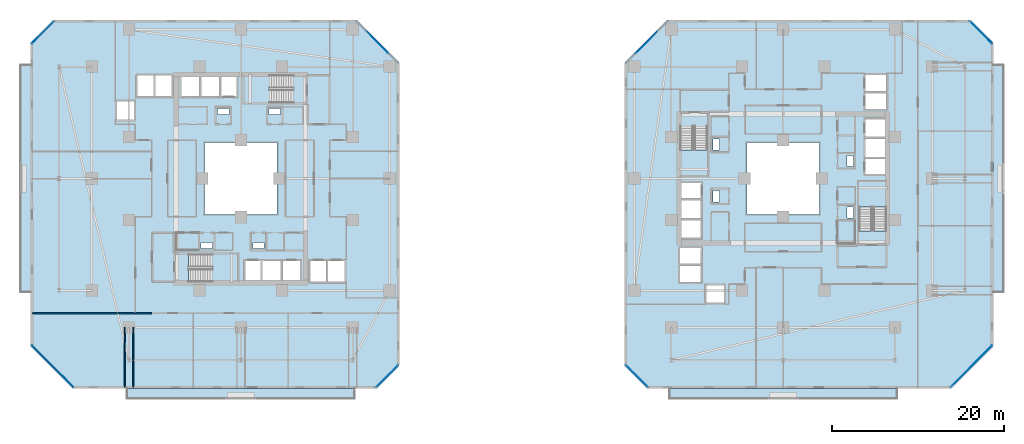
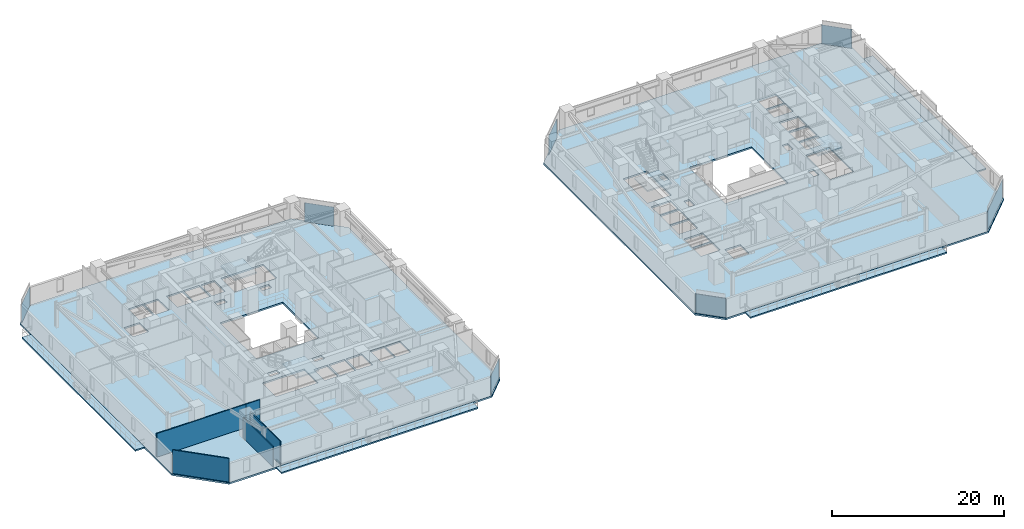
# One storey, part 17 of 33: 10 slabs, 8 plates, 5 walls, 12 elements without a shape of their own.
"""IFC4 building model written with IfcOpenShell, lengths in metres."""

from ifc_helpers import new_model, si_unit, direction, frame, frame_2d, origin, origin_2d, place, context, subcontext, project, spatial, polyline, rectangle, outline, extrude, material, layer, layer_set, type_object, element, aggregate, save


model = new_model("IFC4")

# Units and contexts
model_context = context("Model", 3, precision=1e-05, world=origin(), true_north=direction((0.0, 1.0)))
body_context = subcontext(model_context, "Body", "Model", "MODEL_VIEW")
ifc_project = project(units=[si_unit("LENGTHUNIT", "METRE"), si_unit("AREAUNIT", "SQUARE_METRE"), si_unit("VOLUMEUNIT", "CUBIC_METRE"), si_unit("PLANEANGLEUNIT", "RADIAN"), si_unit("MASSUNIT", "GRAM", prefix="KILO")], contexts=[model_context])

# Site, building, storey
site_placement = place(None, origin())
site = spatial("IfcSite", under=ifc_project, at=site_placement, CompositionType="ELEMENT")
building_placement = place(site_placement, origin())
building = spatial("IfcBuilding", under=site, at=building_placement, Name="Thornwick Lancets Civic Towers", CompositionType="ELEMENT")
storey_placement = place(building_placement, frame((0.0, 0.0, 42.300048828125)))
storey = spatial("IfcBuildingStorey", under=building, at=storey_placement, Name="L10", CompositionType="ELEMENT", Elevation=42.300048828125)

# Curtain wall, plate
ifc_material_1 = material(Name="Low-zone chamfered-corner unitised glass curtain wall", Category="glass")
curtain_wall_type = type_object("IfcCurtainWallType", Name="CW_SYS_03", PredefinedType="NOTDEFINED", material=ifc_material_1)
curtain_wall_1_placement = place(storey_placement, origin())
curtain_wall_1 = element("IfcCurtainWall", 1, at=curtain_wall_1_placement, inside=storey, type_object=curtain_wall_type, Name="L10 Curtain Wall CW-L10-A-E1", PredefinedType="NOTDEFINED")
ifc_material_2 = material(Name="Low-e double glazing clear glass", Category="glass")
ifc_layer_1 = layer(ifc_material_2, 0.035888671875, Name="Low-e double glazing clear glass")
ifc_layer_set_1 = layer_set([ifc_layer_1], Name="Low-e double glazing clear glass")
plate_type = type_object("IfcPlateType", Name="CW_PNL_GLASS", PredefinedType="CURTAIN_PANEL", material=ifc_layer_set_1)
plate_1_placement = place(storey_placement, frame((42.472900390625, 4.027099609375, 0.0), z_axis=(0.0, 0.0, 1.0), x_axis=(0.707106781187, 0.707106781187, 0.0)))
plate_1 = element("IfcPlate", 2, at=plate_1_placement, type_object=plate_type, Name="CW-L10-A-E1 Panel 0", PredefinedType="CURTAIN_PANEL", context=body_context, shape_type="SweptSolid", body=[
    extrude(rectangle(XDim=3.64990234375, YDim=0.035888671875, at=origin_2d()), origin(), (0.0, 0.0, 1.0), 2.699951171875),
])
aggregate(curtain_wall_1, [plate_1])

curtain_wall_2_placement = place(storey_placement, origin())
curtain_wall_2 = element("IfcCurtainWall", 3, at=curtain_wall_2_placement, inside=storey, type_object=curtain_wall_type, Name="L10 Curtain Wall CW-L10-A-E3", PredefinedType="NOTDEFINED")
plate_2_placement = place(storey_placement, frame((41.328369140625, 42.828369140625, 0.0), z_axis=(0.0, 0.0, 1.0), x_axis=(-0.707106781187, 0.707106781187, 0.0)))
plate_2 = element("IfcPlate", 4, at=plate_2_placement, type_object=plate_type, Name="CW-L10-A-E3 Panel 0", PredefinedType="CURTAIN_PANEL", context=body_context, shape_type="SweptSolid", body=[
    extrude(rectangle(XDim=3.5771484375, YDim=0.035888671875, at=origin_2d()), origin(), (0.0, 0.0, 1.0), 2.699951171875),
])
aggregate(curtain_wall_2, [plate_2])

curtain_wall_3_placement = place(storey_placement, origin())
curtain_wall_3 = element("IfcCurtainWall", 5, at=curtain_wall_3_placement, inside=storey, type_object=curtain_wall_type, Name="L10 Curtain Wall CW-L10-A-E5", PredefinedType="NOTDEFINED")
plate_3_placement = place(storey_placement, frame((2.527099609375, 43.972900390625, 0.0), z_axis=(0.0, 0.0, 1.0), x_axis=(-0.707106781187, -0.707106781187, 0.0)))
plate_3 = element("IfcPlate", 6, at=plate_3_placement, type_object=plate_type, Name="CW-L10-A-E5 Panel 0", PredefinedType="CURTAIN_PANEL", context=body_context, shape_type="SweptSolid", body=[
    extrude(rectangle(XDim=3.64990234375, YDim=0.035888671875, at=origin_2d()), origin(), (0.0, 0.0, 1.0), 2.699951171875),
])
aggregate(curtain_wall_3, [plate_3])

curtain_wall_4_placement = place(storey_placement, origin())
curtain_wall_4 = element("IfcCurtainWall", 7, at=curtain_wall_4_placement, inside=storey, type_object=curtain_wall_type, Name="L10 Curtain Wall CW-L10-A-E7", PredefinedType="NOTDEFINED")
plate_4_placement = place(storey_placement, frame((3.671630859375, 5.171630859375, 0.0), z_axis=(0.0, 0.0, 1.0), x_axis=(0.707106781187, -0.707106781187, 0.0)))
plate_4 = element("IfcPlate", 8, at=plate_4_placement, type_object=plate_type, Name="CW-L10-A-E7 Panel 0", PredefinedType="CURTAIN_PANEL", context=body_context, shape_type="SweptSolid", body=[
    extrude(rectangle(XDim=6.86669921875, YDim=0.035888671875, at=origin_2d()), origin(), (0.0, 0.0, 1.0), 2.699951171875),
])
aggregate(curtain_wall_4, [plate_4])

curtain_wall_5_placement = place(storey_placement, origin())
curtain_wall_5 = element("IfcCurtainWall", 9, at=curtain_wall_5_placement, inside=storey, type_object=curtain_wall_type, Name="L10 Curtain Wall CW-L10-B-E1", PredefinedType="NOTDEFINED")
plate_5_placement = place(storey_placement, frame((110.328369140625, 5.171630859375, 0.0), z_axis=(0.0, 0.0, 1.0), x_axis=(0.707106781187, 0.707106781187, 0.0)))
plate_5 = element("IfcPlate", 10, at=plate_5_placement, type_object=plate_type, Name="CW-L10-B-E1 Panel 0", PredefinedType="CURTAIN_PANEL", context=body_context, shape_type="SweptSolid", body=[
    extrude(rectangle(XDim=6.86669921875, YDim=0.035888671875, at=origin_2d()), origin(), (0.0, 0.0, 1.0), 2.699951171875),
])
aggregate(curtain_wall_5, [plate_5])

curtain_wall_6_placement = place(storey_placement, origin())
curtain_wall_6 = element("IfcCurtainWall", 11, at=curtain_wall_6_placement, inside=storey, type_object=curtain_wall_type, Name="L10 Curtain Wall CW-L10-B-E3", PredefinedType="NOTDEFINED")
plate_6_placement = place(storey_placement, frame((111.472900390625, 43.972900390625, 0.0), z_axis=(0.0, 0.0, 1.0), x_axis=(-0.707106781187, 0.707106781187, 0.0)))
plate_6 = element("IfcPlate", 12, at=plate_6_placement, type_object=plate_type, Name="CW-L10-B-E3 Panel 0", PredefinedType="CURTAIN_PANEL", context=body_context, shape_type="SweptSolid", body=[
    extrude(rectangle(XDim=3.64990234375, YDim=0.035888671875, at=origin_2d()), origin(), (0.0, 0.0, 1.0), 2.699951171875),
])
aggregate(curtain_wall_6, [plate_6])

curtain_wall_7_placement = place(storey_placement, origin())
curtain_wall_7 = element("IfcCurtainWall", 13, at=curtain_wall_7_placement, inside=storey, type_object=curtain_wall_type, Name="L10 Curtain Wall CW-L10-B-E5", PredefinedType="NOTDEFINED")
plate_7_placement = place(storey_placement, frame((72.671630859375, 42.828369140625, 0.0), z_axis=(0.0, 0.0, 1.0), x_axis=(-0.707106781187, -0.707106781187, 0.0)))
plate_7 = element("IfcPlate", 14, at=plate_7_placement, type_object=plate_type, Name="CW-L10-B-E5 Panel 0", PredefinedType="CURTAIN_PANEL", context=body_context, shape_type="SweptSolid", body=[
    extrude(rectangle(XDim=3.5771484375, YDim=0.035888671875, at=origin_2d()), origin(), (0.0, 0.0, 1.0), 2.699951171875),
])
aggregate(curtain_wall_7, [plate_7])

curtain_wall_8_placement = place(storey_placement, origin())
curtain_wall_8 = element("IfcCurtainWall", 15, at=curtain_wall_8_placement, inside=storey, type_object=curtain_wall_type, Name="L10 Curtain Wall CW-L10-B-E7", PredefinedType="NOTDEFINED")
plate_8_placement = place(storey_placement, frame((71.527099609375, 4.027099609375, 0.0), z_axis=(0.0, 0.0, 1.0), x_axis=(0.707106781187, -0.707106781187, 0.0)))
plate_8 = element("IfcPlate", 16, at=plate_8_placement, type_object=plate_type, Name="CW-L10-B-E7 Panel 0", PredefinedType="CURTAIN_PANEL", context=body_context, shape_type="SweptSolid", body=[
    extrude(rectangle(XDim=3.64990234375, YDim=0.035888671875, at=origin_2d()), origin(), (0.0, 0.0, 1.0), 2.699951171875),
])
aggregate(curtain_wall_8, [plate_8])

# Slabs
ifc_material_3 = material(Name="Post-tensioned concrete C40/50", Category="concrete")
ifc_layer_2 = layer(ifc_material_3, 0.199951171875, Name="Post-tensioned concrete C40/50")
ifc_layer_set_2 = layer_set([ifc_layer_2], Name="Post-tensioned concrete C40/50")
slab_type_1 = type_object("IfcSlabType", Name="SLAB_BALCONY_200", PredefinedType="FLOOR", material=ifc_layer_set_2)
slab_1_placement = place(storey_placement, frame((0.0, 0.0, -0.199951171875)))
element("IfcSlab", 17, at=slab_1_placement, inside=storey, type_object=slab_type_1, Name="L10 Tower A Planted Balcony Slab W", PredefinedType="FLOOR", context=body_context, shape_type="SweptSolid", body=[
    extrude(outline(polyline([(-0.14990234375, 13.800048828125), (1.10009765625, 13.800048828125), (1.10009765625, 40.199951171875), (-0.14990234375, 40.199951171875), (-0.14990234375, 13.800048828125)])), origin(), (0.0, 0.0, 1.0), 0.199951171875),
])
slab_2_placement = place(storey_placement, frame((0.0, 0.0, -0.199951171875)))
element("IfcSlab", 18, at=slab_2_placement, inside=storey, type_object=slab_type_1, Name="L10 Tower A Planted Balcony Slab S", PredefinedType="FLOOR", context=body_context, shape_type="SweptSolid", body=[
    extrude(outline(polyline([(12.300048828125, 1.35009765625), (38.699951171875, 1.35009765625), (38.699951171875, 2.60009765625), (12.300048828125, 2.60009765625), (12.300048828125, 1.35009765625)])), origin(), (0.0, 0.0, 1.0), 0.199951171875),
])
slab_3_placement = place(storey_placement, frame((0.0, 0.0, -0.199951171875)))
element("IfcSlab", 19, at=slab_3_placement, inside=storey, type_object=slab_type_1, Name="L10 Tower B Planted Balcony Slab E", PredefinedType="FLOOR", context=body_context, shape_type="SweptSolid", body=[
    extrude(outline(polyline([(112.89990234375, 13.800048828125), (114.14990234375, 13.800048828125), (114.14990234375, 40.199951171875), (112.89990234375, 40.199951171875), (112.89990234375, 13.800048828125)])), origin(), (0.0, 0.0, 1.0), 0.199951171875),
])
slab_4_placement = place(storey_placement, frame((0.0, 0.0, -0.199951171875)))
element("IfcSlab", 20, at=slab_4_placement, inside=storey, type_object=slab_type_1, Name="L10 Tower B Planted Balcony Slab S", PredefinedType="FLOOR", context=body_context, shape_type="SweptSolid", body=[
    extrude(outline(polyline([(75.300048828125, 1.35009765625), (101.699951171875, 1.35009765625), (101.699951171875, 2.60009765625), (75.300048828125, 2.60009765625), (75.300048828125, 1.35009765625)])), origin(), (0.0, 0.0, 1.0), 0.199951171875),
])

# Stair, slab
ifc_material_4 = material(Name="Concrete C40/50", Category="concrete")
stair_type = type_object("IfcStairType", Name="STAIR_DL_3600", PredefinedType="HALF_TURN_STAIR", material=ifc_material_4)
stair_1_placement = place(storey_placement, origin())
stair_1 = element("IfcStair", 21, at=stair_1_placement, inside=storey, type_object=stair_type, Name="L10 Tower A South Exit Stair ST-A1", PredefinedType="HALF_TURN_STAIR")
ifc_layer_3 = layer(ifc_material_4, 0.25, Name="Concrete C40/50")
ifc_layer_set_3 = layer_set([ifc_layer_3], Name="Concrete C40/50")
slab_type_2 = type_object("IfcSlabType", Name="SLAB_LANDING_200", PredefinedType="LANDING", material=ifc_layer_set_3)
slab_5_placement = place(storey_placement, frame((0.0, 0.0, 1.60302734375)))
slab_5 = element("IfcSlab", 22, at=slab_5_placement, type_object=slab_type_2, Name="ST-A1 landing 1", PredefinedType="LANDING", context=body_context, shape_type="SweptSolid", body=[
    extrude(outline(polyline([(22.169921875, 14.93994140625), (25.14990234375, 14.93994140625), (25.14990234375, 18.260009765625), (22.169921875, 18.260009765625), (22.169921875, 14.93994140625)])), origin(), (0.0, 0.0, 1.0), 0.199951171875),
])
aggregate(stair_1, [slab_5])

stair_2_placement = place(storey_placement, origin())
stair_2 = element("IfcStair", 23, at=stair_2_placement, inside=storey, type_object=stair_type, Name="L10 Tower A North Exit Stair ST-A2", PredefinedType="HALF_TURN_STAIR")
slab_6_placement = place(storey_placement, frame((0.0, 0.0, 1.60302734375)))
slab_6 = element("IfcSlab", 24, at=slab_6_placement, type_object=slab_type_2, Name="ST-A2 landing 1", PredefinedType="LANDING", context=body_context, shape_type="SweptSolid", body=[
    extrude(outline(polyline([(28.830078125, 39.06005859375), (25.85009765625, 39.06005859375), (25.85009765625, 35.739990234375), (28.830078125, 35.739990234375), (28.830078125, 39.06005859375)])), origin(), (0.0, 0.0, 1.0), 0.199951171875),
])
aggregate(stair_2, [slab_6])

stair_3_placement = place(storey_placement, origin())
stair_3 = element("IfcStair", 25, at=stair_3_placement, inside=storey, type_object=stair_type, Name="L10 Tower B East Exit Stair ST-B1", PredefinedType="HALF_TURN_STAIR")
slab_7_placement = place(storey_placement, frame((0.0, 0.0, 1.60302734375)))
slab_7 = element("IfcSlab", 26, at=slab_7_placement, type_object=slab_type_2, Name="ST-B1 landing 1", PredefinedType="LANDING", context=body_context, shape_type="SweptSolid", body=[
    extrude(outline(polyline([(100.56005859375, 23.669921875), (100.56005859375, 26.64990234375), (97.239990234375, 26.64990234375), (97.239990234375, 23.669921875), (100.56005859375, 23.669921875)])), origin(), (0.0, 0.0, 1.0), 0.199951171875),
])
aggregate(stair_3, [slab_7])

stair_4_placement = place(storey_placement, origin())
stair_4 = element("IfcStair", 27, at=stair_4_placement, inside=storey, type_object=stair_type, Name="L10 Tower B West Exit Stair ST-B2", PredefinedType="HALF_TURN_STAIR")
slab_8_placement = place(storey_placement, frame((0.0, 0.0, 1.60302734375)))
slab_8 = element("IfcSlab", 28, at=slab_8_placement, type_object=slab_type_2, Name="ST-B2 landing 1", PredefinedType="LANDING", context=body_context, shape_type="SweptSolid", body=[
    extrude(outline(polyline([(76.43994140625, 30.330078125), (76.43994140625, 27.35009765625), (79.760009765625, 27.35009765625), (79.760009765625, 30.330078125), (76.43994140625, 30.330078125)])), origin(), (0.0, 0.0, 1.0), 0.199951171875),
])
aggregate(stair_4, [slab_8])

# Slabs
ifc_layer_4 = layer(ifc_material_3, 0.239990234375, Name="Post-tensioned concrete C40/50")
ifc_layer_set_4 = layer_set([ifc_layer_4], Name="Post-tensioned concrete C40/50")
slab_type_3 = type_object("IfcSlabType", Name="SLAB_PT_240", PredefinedType="FLOOR", material=ifc_layer_set_4)
slab_9_placement = place(storey_placement, frame((0.0, 0.0, -0.239990234375)))
element("IfcSlab", 29, at=slab_9_placement, inside=storey, type_object=slab_type_3, Name="L10 Tower A Floor Slab", PredefinedType="FLOOR", context=body_context, shape_type="SweptSolid", body=[
    extrude(outline(polyline([(5.990966796875, 2.60009765625), (41.300048828125, 2.60009765625), (43.89990234375, 5.199951171875), (43.89990234375, 40.509033203125), (39.009033203125, 45.39990234375), (3.699951171875, 45.39990234375), (1.10009765625, 42.800048828125), (1.10009765625, 7.490966796875), (5.990966796875, 2.60009765625)]), holes=[polyline([(21.300048828125, 22.800048828125), (29.699951171875, 22.800048828125), (29.699951171875, 31.199951171875), (21.300048828125, 31.199951171875), (21.300048828125, 22.800048828125)]), polyline([(19.429931640625, 15.0), (25.10009765625, 15.0), (25.10009765625, 18.199951171875), (19.429931640625, 18.199951171875), (19.429931640625, 15.0)]), polyline([(31.570068359375, 39.0), (25.89990234375, 39.0), (25.89990234375, 35.800048828125), (31.570068359375, 35.800048828125), (31.570068359375, 39.0)]), polyline([(26.0, 15.0), (27.800048828125, 15.0), (27.800048828125, 17.550048828125), (26.0, 17.550048828125), (26.0, 15.0)]), polyline([(28.0, 15.0), (30.14990234375, 15.0), (30.14990234375, 17.550048828125), (28.0, 17.550048828125), (28.0, 15.0)]), polyline([(30.35009765625, 15.0), (32.39990234375, 15.0), (32.39990234375, 17.550048828125), (30.35009765625, 17.550048828125), (30.35009765625, 15.0)]), polyline([(33.550048828125, 15.0), (35.449951171875, 15.0), (35.449951171875, 17.550048828125), (33.550048828125, 17.550048828125), (33.550048828125, 15.0)]), polyline([(35.60009765625, 15.0), (37.550048828125, 15.0), (37.550048828125, 17.550048828125), (35.60009765625, 17.550048828125), (35.60009765625, 15.0)]), polyline([(23.199951171875, 36.449951171875), (25.0, 36.449951171875), (25.0, 39.0), (23.199951171875, 39.0), (23.199951171875, 36.449951171875)]), polyline([(20.85009765625, 36.449951171875), (23.0, 36.449951171875), (23.0, 39.0), (20.85009765625, 39.0), (20.85009765625, 36.449951171875)]), polyline([(18.60009765625, 36.449951171875), (20.699951171875, 36.449951171875), (20.699951171875, 39.0), (18.60009765625, 39.0), (18.60009765625, 36.449951171875)]), polyline([(15.550048828125, 36.449951171875), (17.449951171875, 36.449951171875), (17.449951171875, 39.0), (15.550048828125, 39.0), (15.550048828125, 36.449951171875)]), polyline([(13.449951171875, 36.449951171875), (15.39990234375, 36.449951171875), (15.39990234375, 39.0), (13.449951171875, 39.0), (13.449951171875, 36.449951171875)]), polyline([(11.10009765625, 33.85009765625), (13.199951171875, 33.85009765625), (13.199951171875, 35.949951171875), (11.10009765625, 35.949951171875), (11.10009765625, 33.85009765625)]), polyline([(26.89990234375, 18.85009765625), (28.199951171875, 18.85009765625), (28.199951171875, 19.580078125), (26.89990234375, 19.580078125), (26.89990234375, 18.85009765625)]), polyline([(20.89990234375, 18.85009765625), (22.199951171875, 18.85009765625), (22.199951171875, 19.580078125), (20.89990234375, 19.580078125), (20.89990234375, 18.85009765625)]), polyline([(22.800048828125, 34.419921875), (24.10009765625, 34.419921875), (24.10009765625, 35.14990234375), (22.800048828125, 35.14990234375), (22.800048828125, 34.419921875)]), polyline([(28.800048828125, 34.419921875), (30.10009765625, 34.419921875), (30.10009765625, 35.14990234375), (28.800048828125, 35.14990234375), (28.800048828125, 34.419921875)])]), origin(), (0.0, 0.0, 1.0), 0.239990234375),
])
slab_10_placement = place(storey_placement, frame((0.0, 0.0, -0.239990234375)))
element("IfcSlab", 30, at=slab_10_placement, inside=storey, type_object=slab_type_3, Name="L10 Tower B Floor Slab", PredefinedType="FLOOR", context=body_context, shape_type="SweptSolid", body=[
    extrude(outline(polyline([(72.699951171875, 2.60009765625), (108.009033203125, 2.60009765625), (112.89990234375, 7.490966796875), (112.89990234375, 42.800048828125), (110.300048828125, 45.39990234375), (74.990966796875, 45.39990234375), (70.10009765625, 40.509033203125), (70.10009765625, 5.199951171875), (72.699951171875, 2.60009765625)]), holes=[polyline([(84.300048828125, 22.800048828125), (92.699951171875, 22.800048828125), (92.699951171875, 31.199951171875), (84.300048828125, 31.199951171875), (84.300048828125, 22.800048828125)]), polyline([(100.5, 20.929931640625), (100.5, 26.60009765625), (97.300048828125, 26.60009765625), (97.300048828125, 20.929931640625), (100.5, 20.929931640625)]), polyline([(76.5, 33.070068359375), (76.5, 27.39990234375), (79.699951171875, 27.39990234375), (79.699951171875, 33.070068359375), (76.5, 33.070068359375)]), polyline([(97.949951171875, 27.5), (100.5, 27.5), (100.5, 29.300048828125), (97.949951171875, 29.300048828125), (97.949951171875, 27.5)]), polyline([(97.949951171875, 29.5), (100.5, 29.5), (100.5, 31.64990234375), (97.949951171875, 31.64990234375), (97.949951171875, 29.5)]), polyline([(97.949951171875, 31.85009765625), (100.5, 31.85009765625), (100.5, 33.89990234375), (97.949951171875, 33.89990234375), (97.949951171875, 31.85009765625)]), polyline([(97.949951171875, 35.050048828125), (100.5, 35.050048828125), (100.5, 36.949951171875), (97.949951171875, 36.949951171875), (97.949951171875, 35.050048828125)]), polyline([(97.949951171875, 37.10009765625), (100.5, 37.10009765625), (100.5, 39.050048828125), (97.949951171875, 39.050048828125), (97.949951171875, 37.10009765625)]), polyline([(76.5, 24.699951171875), (79.050048828125, 24.699951171875), (79.050048828125, 26.5), (76.5, 26.5), (76.5, 24.699951171875)]), polyline([(76.5, 22.35009765625), (79.050048828125, 22.35009765625), (79.050048828125, 24.5), (76.5, 24.5), (76.5, 22.35009765625)]), polyline([(76.5, 20.10009765625), (79.050048828125, 20.10009765625), (79.050048828125, 22.199951171875), (76.5, 22.199951171875), (76.5, 20.10009765625)]), polyline([(76.5, 17.050048828125), (79.050048828125, 17.050048828125), (79.050048828125, 18.949951171875), (76.5, 18.949951171875), (76.5, 17.050048828125)]), polyline([(76.5, 14.949951171875), (79.050048828125, 14.949951171875), (79.050048828125, 16.89990234375), (76.5, 16.89990234375), (76.5, 14.949951171875)]), polyline([(79.550048828125, 12.60009765625), (81.64990234375, 12.60009765625), (81.64990234375, 14.699951171875), (79.550048828125, 14.699951171875), (79.550048828125, 12.60009765625)]), polyline([(95.919921875, 28.39990234375), (96.64990234375, 28.39990234375), (96.64990234375, 29.699951171875), (95.919921875, 29.699951171875), (95.919921875, 28.39990234375)]), polyline([(95.919921875, 22.39990234375), (96.64990234375, 22.39990234375), (96.64990234375, 23.699951171875), (95.919921875, 23.699951171875), (95.919921875, 22.39990234375)]), polyline([(80.35009765625, 24.300048828125), (81.080078125, 24.300048828125), (81.080078125, 25.60009765625), (80.35009765625, 25.60009765625), (80.35009765625, 24.300048828125)]), polyline([(80.35009765625, 30.300048828125), (81.080078125, 30.300048828125), (81.080078125, 31.60009765625), (80.35009765625, 31.60009765625), (80.35009765625, 30.300048828125)])]), origin(), (0.0, 0.0, 1.0), 0.239990234375),
])

# Walls
ifc_material_5 = material(Name="Acoustic gypsum board partition")
ifc_layer_5 = layer(ifc_material_5, 0.1201171875, Name="Acoustic gypsum board partition")
ifc_layer_set_5 = layer_set([ifc_layer_5], Name="Acoustic gypsum board partition")
wall_type = type_object("IfcWallType", Name="WALL_PART_120", PredefinedType="PARTITIONING", material=ifc_layer_set_5)
wall_1_placement = place(storey_placement, frame((13.25, 11.35009765625, 0.0), z_axis=(0.0, 0.0, 1.0), x_axis=(-1.0, 0.0, 0.0)))
element("IfcWall", 31, at=wall_1_placement, inside=storey, type_object=wall_type, Name="L10 Partition L10-A-W1 E4", PredefinedType="PARTITIONING", context=body_context, shape_type="SweptSolid", body=[
    extrude(rectangle(XDim=11.969970703125, YDim=0.1201171875, at=frame_2d((5.98486328125, 0.0))), origin(), (0.0, 0.0, 1.0), 3.33984375),
])
wall_2_placement = place(storey_placement, frame((12.97998046875, 2.780029296875, 0.0), z_axis=(0.0, 0.0, 1.0), x_axis=(0.0, 1.0, 0.0)))
element("IfcWall", 32, at=wall_2_placement, inside=storey, type_object=wall_type, Name="L10 Partition L10-A-S-OFF1 E2", PredefinedType="PARTITIONING", context=body_context, shape_type="SweptSolid", body=[
    extrude(rectangle(XDim=6.919921875, YDim=0.1201171875, at=frame_2d((3.4599609375, 0.0))), origin(), (0.0, 0.0, 1.0), 3.33984375),
])
wall_3_placement = place(storey_placement, frame((12.02001953125, 9.699951171875, 0.0), z_axis=(0.0, 0.0, 1.0), x_axis=(0.0, -1.0, 0.0)))
element("IfcWall", 33, at=wall_3_placement, inside=storey, type_object=wall_type, Name="L10 Partition L10-A-S-OFF1 E4", PredefinedType="PARTITIONING", context=body_context, shape_type="SweptSolid", body=[
    extrude(rectangle(XDim=6.919921875, YDim=0.1201171875, at=frame_2d((3.4599609375, 0.0))), origin(), (0.0, 0.0, 1.0), 2.89501953125),
])
wall_4_placement = place(storey_placement, frame((6.065673828125, 2.780029296875, 0.0), z_axis=(0.0, 0.0, 1.0), x_axis=(-0.707106781187, 0.707106781187, 0.0)))
element("IfcWall", 34, at=wall_4_placement, inside=storey, type_object=wall_type, Name="L10 Partition L10-A-S-OFF1 E6", PredefinedType="PARTITIONING", context=body_context, shape_type="SweptSolid", body=[
    extrude(rectangle(XDim=6.767822265625, YDim=0.1201171875, at=frame_2d((3.3837890625, 0.0))), origin(), (0.0, 0.0, 1.0), 3.33984375),
])
wall_5_placement = place(storey_placement, frame((13.25, 11.35009765625, 0.0), z_axis=(0.0, 0.0, 1.0), x_axis=(1.0, 0.0, 0.0)))
element("IfcWall", 35, at=wall_5_placement, inside=storey, type_object=wall_type, Name="L10 Partition L10-A-S-OFF1 E9", PredefinedType="PARTITIONING", context=body_context, shape_type="SweptSolid", body=[
    extrude(rectangle(XDim=1.89990234375, YDim=0.1201171875, at=frame_2d((0.949951171875, 0.0))), origin(), (0.0, 0.0, 1.0), 3.33984375),
])

save(model, "model.ifc")
